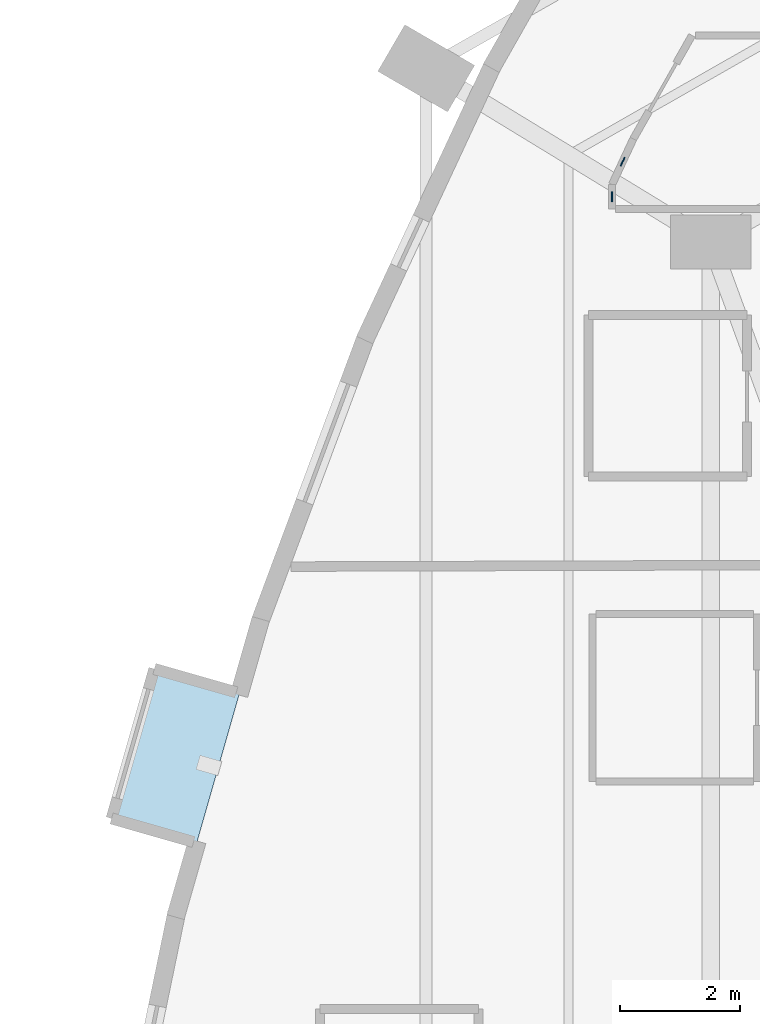
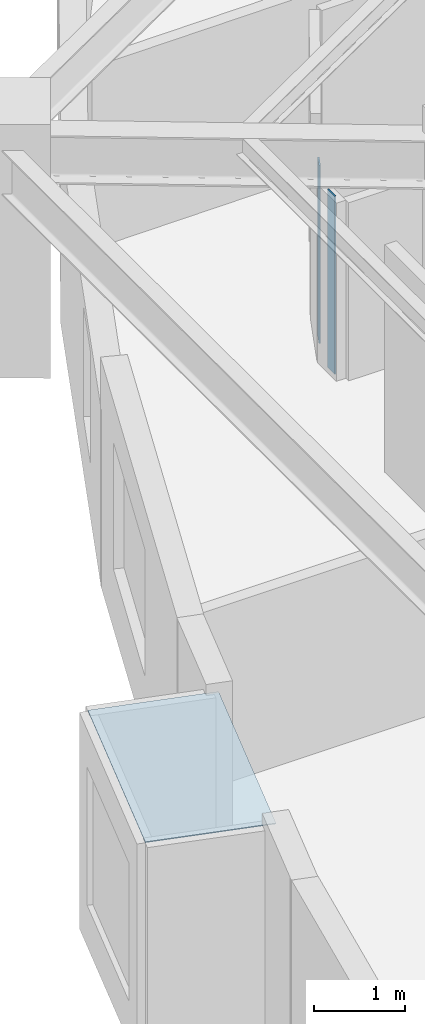
# One storey, part 3 of 13: 3 plates.
"""IFC4 building model written with IfcOpenShell, lengths in metres."""

from ifc_helpers import new_model, si_unit, direction, frame, origin, origin_2d, place, context, subcontext, project, spatial, polyline, rectangle, outline, extrude, material, layer, layer_set, type_object, element, save


model = new_model("IFC4")

# Units and contexts
model_context = context("Model", 3, precision=1e-05, world=origin(), true_north=direction((0.0, 1.0)))
body_context = subcontext(model_context, "Body", "Model", "MODEL_VIEW")
ifc_project = project(units=[si_unit("LENGTHUNIT", "METRE"), si_unit("AREAUNIT", "SQUARE_METRE"), si_unit("VOLUMEUNIT", "CUBIC_METRE"), si_unit("PLANEANGLEUNIT", "RADIAN"), si_unit("MASSUNIT", "GRAM", prefix="KILO")], contexts=[model_context])

# Site, building, storey
site_placement = place(None, origin())
site = spatial("IfcSite", under=ifc_project, at=site_placement, CompositionType="ELEMENT")
building_placement = place(site_placement, origin())
building = spatial("IfcBuilding", under=site, at=building_placement, Name="Miruveldt Soraemaru", CompositionType="ELEMENT")
storey_placement = place(building_placement, frame((0.0, 0.0, 87.0)))
storey = spatial("IfcBuildingStorey", under=building, at=storey_placement, Name="L24", CompositionType="ELEMENT", Elevation=87.0)

# Plates
ifc_material_1 = material(Name="Anodised aluminium EN AW-6063 T6", Category="aluminium")
ifc_layer_1 = layer(ifc_material_1, 0.02001953125, Name="Anodised aluminium EN AW-6063 T6", Category="aluminium")
ifc_layer_set_1 = layer_set([ifc_layer_1], Name="Anodised aluminium EN AW-6063 T6")
plate_type_1 = type_object("IfcPlateType", Name="PLT-PART-TRIM", PredefinedType="SHEET", material=ifc_layer_set_1)
for number, where, z_axis, x_axis, name in (
    (1, (29.927490234375, 51.739013671875, 0.0), (0.0, 0.0, 1.0), (0.422301874901, 0.906455253421, 0.0), "L24 Partition Step Corner Trim Plate 045"),
    (2, (29.75, 51.154052734375, 0.0), (0.0, 0.0, 1.0), (0.0, 1.0, 0.0), "L24 Partition Step Corner Trim Plate 096"),
):
    element("IfcPlate", number, at=place(storey_placement, frame(where, z_axis=z_axis, x_axis=x_axis)), inside=storey, type_object=plate_type_1, Name=name, PredefinedType="SHEET", context=body_context, shape_type="SweptSolid", body=[
        extrude(rectangle(XDim=0.159912109375, YDim=0.02001953125, at=origin_2d()), origin(), (0.0, 0.0, 1.0), 2.387939453125),
    ])
ifc_material_2 = material(Name="Standing-seam titanium-zinc sheet", Category="aluminium")
ifc_layer_2 = layer(ifc_material_2, 0.011962890625, Name="Standing-seam titanium-zinc sheet", Category="aluminium")
ifc_layer_set_2 = layer_set([ifc_layer_2], Name="Standing-seam titanium-zinc sheet")
plate_type_2 = type_object("IfcPlateType", Name="PLT-ZINC-12", PredefinedType="SHEET", material=ifc_layer_set_2)
plate_placement = place(storey_placement, frame((0.0, 0.0, 2.89990234375)))
element("IfcPlate", 3, at=plate_placement, inside=storey, type_object=plate_type_2, Name="L24 Bay Window Zinc Hood Sheet 1", PredefinedType="SHEET", context=body_context, shape_type="SweptSolid", body=[
    extrude(outline(polyline([(23.523681640625, 42.8544921875), (22.80859375, 40.354736328125), (21.3857421875, 40.76171875), (22.1005859375, 43.261474609375), (23.523681640625, 42.8544921875)])), origin(), (0.0, 0.0, 1.0), 0.01220703125),
])

save(model, "model.ifc")
